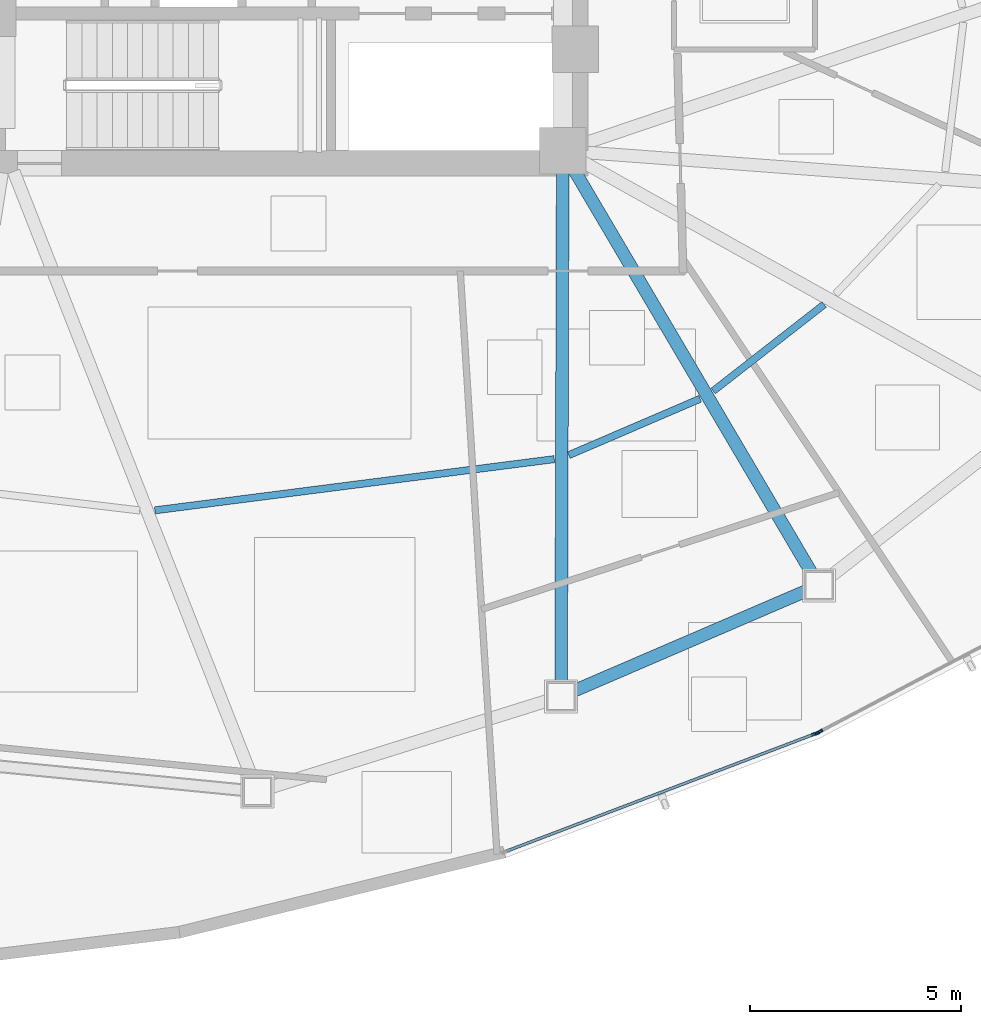
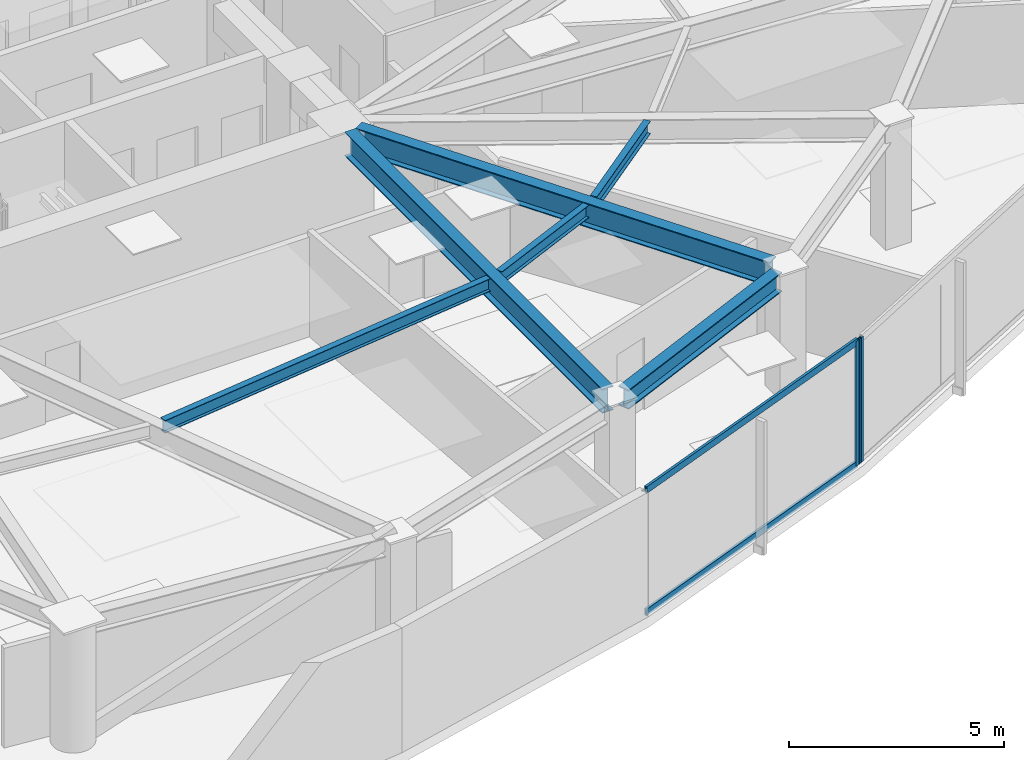
# One storey, part 3 of 17: 6 beams, 4 members, 2 elements without a shape of their own.
"""IFC4 building model written with IfcOpenShell, lengths in metres."""

from ifc_helpers import new_model, si_unit, direction, frame, origin, origin_2d, place, context, subcontext, project, spatial, hollow_rectangle, i_section, extrude, source, transform, mapped, material, layer, layer_set, material_profile, profile_set, type_object, type_shapes, element, aggregate, save


model = new_model("IFC4")

# Units and contexts
model_context = context("Model", 3, precision=1e-05, world=origin(), true_north=direction((0.0, 1.0)))
body_context = subcontext(model_context, "Body", "Model", "MODEL_VIEW")
ifc_project = project(units=[si_unit("LENGTHUNIT", "METRE"), si_unit("AREAUNIT", "SQUARE_METRE"), si_unit("VOLUMEUNIT", "CUBIC_METRE"), si_unit("PLANEANGLEUNIT", "RADIAN"), si_unit("MASSUNIT", "GRAM", prefix="KILO")], contexts=[model_context])

# Site, building, storey
site_placement = place(None, origin())
site = spatial("IfcSite", under=ifc_project, at=site_placement, CompositionType="ELEMENT")
building_placement = place(site_placement, origin())
building = spatial("IfcBuilding", under=site, at=building_placement, Name="Tavelor Broadcast Tower", CompositionType="ELEMENT")
storey_placement = place(building_placement, frame((0.0, 0.0, 134.85009765625)))
storey = spatial("IfcBuildingStorey", under=building, at=storey_placement, Name="L31", CompositionType="ELEMENT", Elevation=134.85009765625)

# Beams
ifc_material_1 = material(Name="Steel S355", Category="steel")
ifc_material_profile_1 = material_profile(ifc_material_1, i_section(OverallWidth=0.169921875, OverallDepth=0.360107421875, WebThickness=0.008056640625, FlangeThickness=0.0126953125, at=origin_2d()), Name="IPE 360")
ifc_profile_set_1 = profile_set([ifc_material_profile_1], Name="Steel S355")
beam_type_1 = type_object("IfcBeamType", Name="Composite Floor Joist T3 IPE 360", PredefinedType="JOIST", material=ifc_profile_set_1)
beam_1_placement = place(storey_placement, frame((46.93701171875, 30.280517578125, 3.369873046875), z_axis=(0.991879926303, 0.12717787464, 0.0), x_axis=(-0.12717787464, 0.991879926303, 0.0)))
element("IfcBeam", 1, at=beam_1_placement, inside=storey, type_object=beam_type_1, Name="L31 Secondary Composite Floor Joist 08", PredefinedType="JOIST", context=body_context, shape_type="SweptSolid", body=[
    extrude(i_section(OverallWidth=0.169921875, OverallDepth=0.360107421875, WebThickness=0.008056640625, FlangeThickness=0.0126953125, at=origin_2d()), origin(), (0.0, 0.0, 1.0), 9.538818359375),
])
beam_2_placement = place(storey_placement, frame((56.744384765625, 31.588134765625, 3.369873046875), z_axis=(0.918816463589, 0.394685072225, 0.0), x_axis=(-0.394685072225, 0.918816463589, 0.0)))
element("IfcBeam", 2, at=beam_2_placement, inside=storey, type_object=beam_type_1, Name="L31 Secondary Composite Floor Joist 09", PredefinedType="JOIST", context=body_context, shape_type="SweptSolid", body=[
    extrude(i_section(OverallWidth=0.169921875, OverallDepth=0.360107421875, WebThickness=0.008056640625, FlangeThickness=0.0126953125, at=origin_2d()), origin(), (0.0, 0.0, 1.0), 3.385498046875),
])
beam_3_placement = place(storey_placement, frame((60.163818359375, 33.107177734375, 3.369873046875), z_axis=(0.788471752191, 0.615070968261, 0.0), x_axis=(-0.615070968261, 0.788471752191, 0.0)))
element("IfcBeam", 3, at=beam_3_placement, inside=storey, type_object=beam_type_1, Name="L31 Secondary Composite Floor Joist 10", PredefinedType="JOIST", context=body_context, shape_type="SweptSolid", body=[
    extrude(i_section(OverallWidth=0.169921875, OverallDepth=0.360107421875, WebThickness=0.008056640625, FlangeThickness=0.0126953125, at=origin_2d()), origin(), (0.0, 0.0, 1.0), 3.33251953125),
])
ifc_material_profile_2 = material_profile(ifc_material_1, i_section(OverallWidth=0.300048828125, OverallDepth=0.550048828125, WebThickness=0.014892578125, FlangeThickness=0.029052734375, at=origin_2d()), Name="HEB 550")
ifc_profile_set_2 = profile_set([ifc_material_profile_2], Name="Steel S355")
beam_type_2 = type_object("IfcBeamType", Name="Perimeter Spandrel Beam T3 HEB 550", PredefinedType="SPANDREL", material=ifc_profile_set_2)
beam_4_placement = place(storey_placement, frame((56.86962890625, 26.005615234375, 3.27490234375), z_axis=(0.918448679011, 0.395540167396, 0.0), x_axis=(-0.395540167396, 0.918448679011, 0.0)))
element("IfcBeam", 4, at=beam_4_placement, inside=storey, type_object=beam_type_2, Name="L31 Framed-Tube Ring Spandrel 09", PredefinedType="SPANDREL", context=body_context, shape_type="SweptSolid", body=[
    extrude(i_section(OverallWidth=0.300048828125, OverallDepth=0.550048828125, WebThickness=0.014892578125, FlangeThickness=0.029052734375, at=origin_2d()), origin(), (0.0, 0.0, 1.0), 5.978515625),
])
ifc_material_profile_3 = material_profile(ifc_material_1, i_section(OverallWidth=0.300048828125, OverallDepth=0.68994140625, WebThickness=0.014404296875, FlangeThickness=0.027099609375, at=origin_2d()), Name="HEA 700")
ifc_profile_set_3 = profile_set([ifc_material_profile_3], Name="Steel S355")
beam_type_3 = type_object("IfcBeamType", Name="Radial Floor Girder T3 HEA 700", PredefinedType="BEAM", material=ifc_profile_set_3)
beam_5_placement = place(storey_placement, frame((56.598388671875, 38.27197265625, 3.204833984375), z_axis=(-0.003015509149, -0.999995453342, 0.0), x_axis=(0.999995453342, -0.003015509149, 0.0)))
element("IfcBeam", 5, at=beam_5_placement, inside=storey, type_object=beam_type_3, Name="L31 Radial Primary Floor Girder 09", PredefinedType="BEAM", context=body_context, shape_type="SweptSolid", body=[
    extrude(i_section(OverallWidth=0.300048828125, OverallDepth=0.68994140625, WebThickness=0.014404296875, FlangeThickness=0.027099609375, at=origin_2d()), origin(), (0.0, 0.0, 1.0), 12.063232421875),
])
beam_6_placement = place(storey_placement, frame((56.8681640625, 38.34521484375, 3.204833984375), z_axis=(0.507774310592, -0.861490133143, 0.0), x_axis=(0.861490133143, 0.507774310592, 0.0)))
element("IfcBeam", 6, at=beam_6_placement, inside=storey, type_object=beam_type_3, Name="L31 Radial Primary Floor Girder 10", PredefinedType="BEAM", context=body_context, shape_type="SweptSolid", body=[
    extrude(i_section(OverallWidth=0.300048828125, OverallDepth=0.68994140625, WebThickness=0.014404296875, FlangeThickness=0.027099609375, at=origin_2d()), origin(), (0.0, 0.0, 1.0), 11.08837890625),
])

# Curtain wall, member
ifc_material_2 = material(Name="Architectural Anodized Aluminium", Category="aluminium")
ifc_layer = layer(ifc_material_2, 0.18994140625)
ifc_layer_set = layer_set([ifc_layer], Name="Architectural Anodized Aluminium")
curtain_wall_type = type_object("IfcCurtainWallType", Name="Tower Mid-Zone Acoustic Curtain Wall CW03", PredefinedType="NOTDEFINED", material=ifc_layer_set)
curtain_wall_1_placement = place(storey_placement, origin())
curtain_wall_1 = element("IfcCurtainWall", 7, at=curtain_wall_1_placement, inside=storey, type_object=curtain_wall_type, Name="L31 Curtain Wall CW03 Run 317", PredefinedType="NOTDEFINED")
ifc_material_profile_4 = material_profile(ifc_material_2, hollow_rectangle(XDim=0.068115234375, YDim=0.18994140625, WallThickness=0.02197265625, at=origin_2d()), Name="RHS 68x190x22")
ifc_profile_set_4 = profile_set([ifc_material_profile_4], Name="Architectural Anodized Aluminium")
member_type_1 = type_object("IfcMemberType", Name="CW03 Extruded Aluminium Mullion 68x190", PredefinedType="MULLION", material=ifc_profile_set_4)
shared_shape_1 = source(origin(), body_context, "Body", "SweptSolid", [
    extrude(hollow_rectangle(XDim=0.068115234375, YDim=0.18994140625, WallThickness=0.02197265625, at=origin_2d()), origin(), (0.0, 0.0, 1.0), 3.5498046875),
])
type_shapes(member_type_1, [shared_shape_1])
member_1_placement = place(storey_placement, frame((62.581787109375, 24.989013671875, 0.0), z_axis=(0.0, 0.0, 1.0), x_axis=(-0.355503900631, 0.934674797262, 0.0)))
member_1 = element("IfcMember", 8, at=member_1_placement, type_object=member_type_1, Name="CW03 mullion 2", PredefinedType="MULLION", context=body_context, shape_type="MappedRepresentation", body=[
    mapped(shared_shape_1, transform((0.0, 0.0, 0.0), scale=1.0)),
])

curtain_wall_2_placement = place(storey_placement, origin())
curtain_wall_2 = element("IfcCurtainWall", 9, at=curtain_wall_2_placement, inside=storey, type_object=curtain_wall_type, Name="L31 Curtain Wall CW03 Run 318", PredefinedType="NOTDEFINED")
member_2_placement = place(storey_placement, frame((62.6708984375, 25.029052734375, 0.0), z_axis=(0.0, 0.0, 1.0), x_axis=(-0.466015401152, 0.884776607901, 0.0)))
member_2 = element("IfcMember", 10, at=member_2_placement, type_object=member_type_1, Name="CW03 mullion 1", PredefinedType="MULLION", context=body_context, shape_type="MappedRepresentation", body=[
    mapped(shared_shape_1, transform((0.0, 0.0, 0.0), scale=1.0)),
])
aggregate(curtain_wall_2, [member_2])

# Member
ifc_material_profile_5 = material_profile(ifc_material_2, hollow_rectangle(XDim=0.068115234375, YDim=0.18994140625, WallThickness=0.02197265625, at=origin_2d()), Name="RHS 68x190x22")
ifc_profile_set_5 = profile_set([ifc_material_profile_5], Name="Architectural Anodized Aluminium")
member_type_2 = type_object("IfcMemberType", Name="CW03 Extruded Aluminium Transom 68x190", PredefinedType="USERDEFINED", material=ifc_profile_set_5)
shared_shape_2 = source(origin(), body_context, "Body", "SweptSolid", [
    extrude(hollow_rectangle(XDim=0.068115234375, YDim=0.18994140625, WallThickness=0.02197265625, at=origin_2d()), origin(), (0.0, 0.0, 1.0), 7.78515625),
])
type_shapes(member_type_2, [shared_shape_2])
member_3_placement = place(storey_placement, frame((55.2734375, 22.209228515625, 0.033935546875), z_axis=(0.934678367603, 0.355494513509, 0.0), x_axis=(-0.355494513509, 0.934678367603, 0.0)))
member_3 = element("IfcMember", 11, at=member_3_placement, type_object=member_type_2, Name="CW03 transom 1.1", ObjectType="TRANSOM", PredefinedType="USERDEFINED", context=body_context, shape_type="MappedRepresentation", body=[
    mapped(shared_shape_2, transform((0.0, 0.0, 0.0), scale=1.0)),
])

member_4_placement = place(storey_placement, frame((55.2734375, 22.209228515625, 3.515869140625), z_axis=(0.934678367603, 0.355494513509, 0.0), x_axis=(-0.355494513509, 0.934678367603, 0.0)))
member_4 = element("IfcMember", 12, at=member_4_placement, type_object=member_type_2, Name="CW03 transom 1.2", ObjectType="TRANSOM", PredefinedType="USERDEFINED", context=body_context, shape_type="MappedRepresentation", body=[
    mapped(shared_shape_2, transform((0.0, 0.0, 0.0), scale=1.0)),
])

aggregate(curtain_wall_1, [member_1, member_3, member_4])

save(model, "model.ifc")
